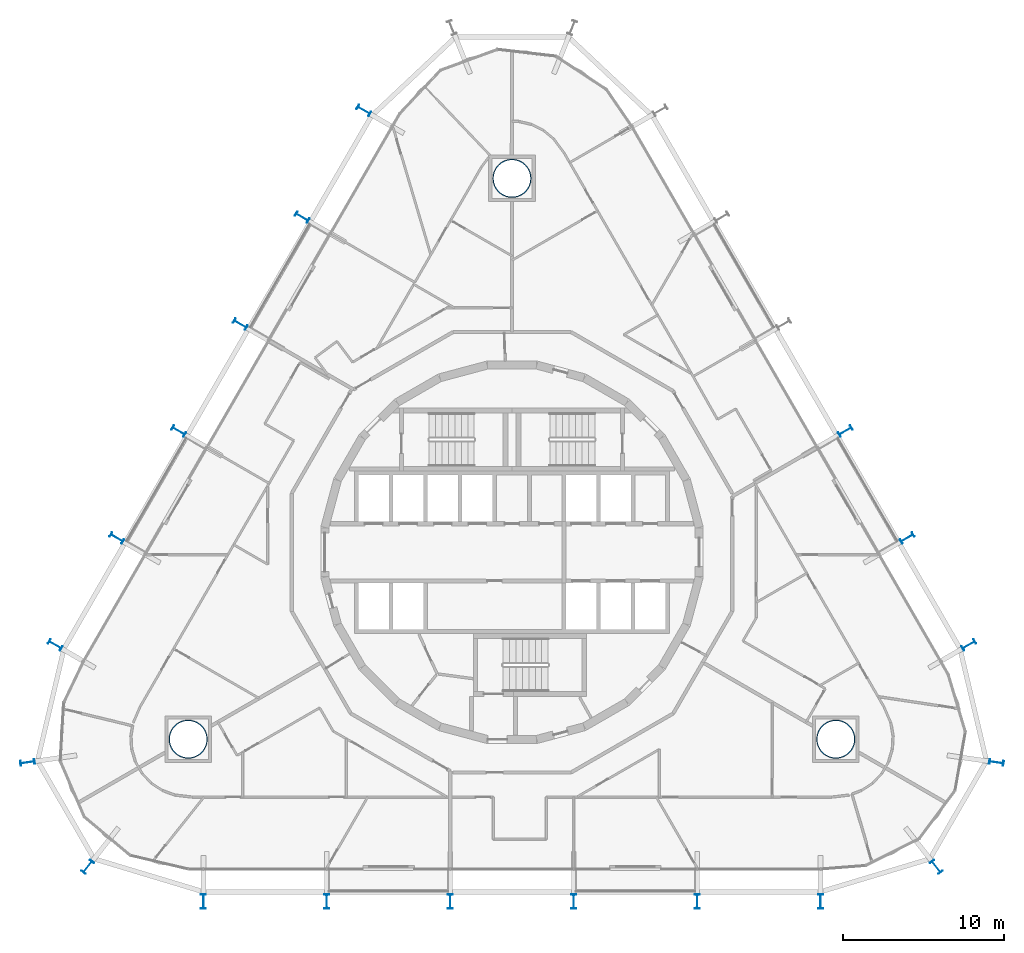
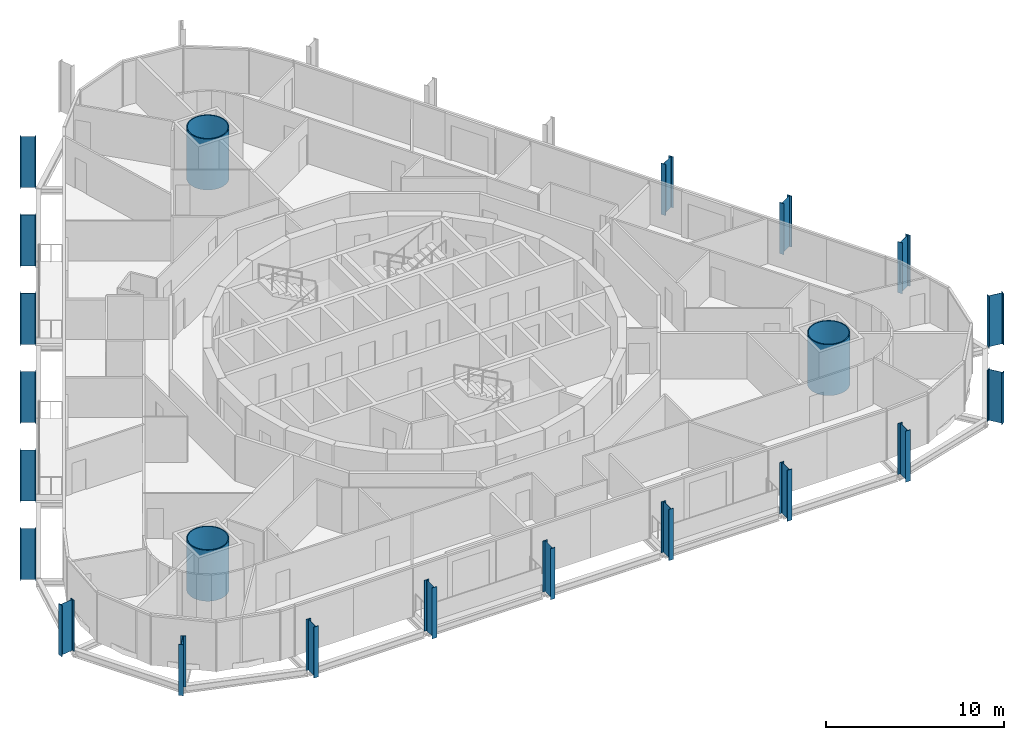
# One storey, part 1 of 19: 22 columns.
"""IFC4 building model written with IfcOpenShell, lengths in metres."""

from ifc_helpers import new_model, si_unit, direction, frame, origin, origin_2d, place, context, subcontext, project, spatial, hollow_circle, i_section, extrude, material, material_profile, profile_set, type_object, element, save


model = new_model("IFC4")

# Units and contexts
model_context = context("Model", 3, precision=1e-05, world=origin(), true_north=direction((0.0, 1.0)))
body_context = subcontext(model_context, "Body", "Model", "MODEL_VIEW")
ifc_project = project(units=[si_unit("LENGTHUNIT", "METRE"), si_unit("AREAUNIT", "SQUARE_METRE"), si_unit("VOLUMEUNIT", "CUBIC_METRE"), si_unit("PLANEANGLEUNIT", "RADIAN"), si_unit("MASSUNIT", "GRAM", prefix="KILO")], contexts=[model_context])

# Site, building, storey
site_placement = place(None, origin())
site = spatial("IfcSite", under=ifc_project, at=site_placement, CompositionType="ELEMENT")
building_placement = place(site_placement, origin())
building = spatial("IfcBuilding", under=site, at=building_placement, Name="Spindle Arch Residences", CompositionType="ELEMENT")
storey_placement = place(building_placement, frame((0.0, 0.0, 45.39990234375)))
storey = spatial("IfcBuildingStorey", under=building, at=storey_placement, Name="L09", CompositionType="ELEMENT", Elevation=45.39990234375)

# Columns
ifc_material_1 = material(Name="Steel S460ML, intumescent coating R 240", Category="steel")
ifc_material_profile_1 = material_profile(ifc_material_1, i_section(OverallWidth=0.300048828125, OverallDepth=0.89990234375, WebThickness=0.0185546875, FlangeThickness=0.034912109375, FilletRadius=0.030029296875, at=origin_2d()), Name="HEB 900")
ifc_profile_set_1 = profile_set([ifc_material_profile_1], Name="Steel S460ML, intumescent coating R 240")
column_type_1 = type_object("IfcColumnType", Name="Exoskeleton post HEB 900", PredefinedType="COLUMN", material=ifc_profile_set_1)
for number, where, z_axis, x_axis, name in (
    (1, (3.840087890625, -21.72998046875, -0.3798828125), (0.0, 0.0, 1.0), (-1.0, 0.0, 0.0), "Exoskeleton post 1"),
    (2, (11.52001953125, -21.72998046875, -0.3798828125), (0.0, 0.0, 1.0), (-1.0, 0.0, 0.0), "Exoskeleton post 2"),
    (3, (19.2001953125, -21.72998046875, -0.3798828125), (0.0, 0.0, 1.0), (-1.0, 0.0, 0.0), "Exoskeleton post 3"),
    (4, (26.3916015625, -19.565185546875, -0.3798828125), (0.0, 0.0, 1.0), (-0.7856835335, -0.618628632693, 0.0), "Exoskeleton post 4"),
    (5, (30.139892578125, -13.0732421875, -0.3798828125), (0.0, 0.0, 1.0), (-0.142906037553, -0.989736260036, 0.0), "Exoskeleton post 5"),
    (6, (28.418701171875, -5.762939453125, -0.3798828125), (0.0, 0.0, 1.0), (0.50000017485, -0.866025302835, 0.0), "Exoskeleton post 6"),
    (7, (24.57861328125, 0.88818359375, -0.3798828125), (0.0, 0.0, 1.0), (0.50000017485, -0.866025302835, 0.0), "Exoskeleton post 7"),
    (8, (20.73876953125, 7.539306640625, -0.3798828125), (0.0, 0.0, 1.0), (0.50000017485, -0.866025302835, 0.0), "Exoskeleton post 8"),
    (9, (-9.218505859375, 27.492919921875, -0.3798828125), (0.0, 0.0, 1.0), (0.50000017485, 0.866025302835, 0.0), "Exoskeleton post 14"),
    (10, (-13.05859375, 20.841796875, -0.3798828125), (0.0, 0.0, 1.0), (0.50000017485, 0.866025302835, 0.0), "Exoskeleton post 15"),
    (11, (-16.898681640625, 14.1904296875, -0.3798828125), (0.0, 0.0, 1.0), (0.50000017485, 0.866025302835, 0.0), "Exoskeleton post 16"),
    (12, (-20.73876953125, 7.539306640625, -0.3798828125), (0.0, 0.0, 1.0), (0.50000017485, 0.866025302835, 0.0), "Exoskeleton post 17"),
    (13, (-24.57861328125, 0.88818359375, -0.3798828125), (0.0, 0.0, 1.0), (0.50000017485, 0.866025302835, 0.0), "Exoskeleton post 18"),
    (14, (-28.418701171875, -5.762939453125, -0.3798828125), (0.0, 0.0, 1.0), (0.50000017485, 0.866025302835, 0.0), "Exoskeleton post 19"),
    (15, (-30.139892578125, -13.0732421875, -0.3798828125), (0.0, 0.0, 1.0), (-0.142906037553, 0.989736260036, 0.0), "Exoskeleton post 20"),
    (16, (-26.3916015625, -19.565185546875, -0.3798828125), (0.0, 0.0, 1.0), (-0.7856835335, 0.618628632693, 0.0), "Exoskeleton post 21"),
    (17, (-19.2001953125, -21.72998046875, -0.3798828125), (0.0, 0.0, 1.0), (-1.0, 0.0, 0.0), "Exoskeleton post 22"),
    (18, (-11.52001953125, -21.72998046875, -0.3798828125), (0.0, 0.0, 1.0), (-1.0, 0.0, 0.0), "Exoskeleton post 23"),
    (19, (-3.840087890625, -21.72998046875, -0.3798828125), (0.0, 0.0, 1.0), (-1.0, 0.0, 0.0), "Exoskeleton post 24"),
):
    element("IfcColumn", number, at=place(storey_placement, frame(where, z_axis=z_axis, x_axis=x_axis)), inside=storey, type_object=column_type_1, Name=name, PredefinedType="COLUMN", context=body_context, shape_type="SweptSolid", body=[
        extrude(i_section(OverallWidth=0.300048828125, OverallDepth=0.89990234375, WebThickness=0.0185546875, FlangeThickness=0.034912109375, FilletRadius=0.030029296875, at=origin_2d()), origin(), (0.0, 0.0, 1.0), 3.5),
    ])
ifc_material_2 = material(Name="Concrete C50/60 filled steel tube S460ML, intumescent coating R 240", Category="concrete")
ifc_material_profile_2 = material_profile(ifc_material_2, hollow_circle(Radius=1.199951171875, WallThickness=0.06005859375, at=origin_2d()), Name="CFT D2400x60")
ifc_profile_set_2 = profile_set([ifc_material_profile_2], Name="Concrete C50/60 filled steel tube S460ML, intumescent coating R 240")
column_type_2 = type_object("IfcColumnType", Name="Mega-column CFT D2400x60", PredefinedType="COLUMN", material=ifc_profile_set_2)
for number, where, z_axis, x_axis, name in (
    (20, (20.1435546875, -11.6298828125, -0.3798828125), (0.0, 0.0, 1.0), (1.0, 0.0, 0.0), "Mega-column 1"),
    (21, (0.0, 23.259765625, -0.3798828125), (0.0, 0.0, 1.0), (1.0, 0.0, 0.0), "Mega-column 2"),
    (22, (-20.1435546875, -11.6298828125, -0.3798828125), (0.0, 0.0, 1.0), (1.0, 0.0, 0.0), "Mega-column 3"),
):
    element("IfcColumn", number, at=place(storey_placement, frame(where, z_axis=z_axis, x_axis=x_axis)), inside=storey, type_object=column_type_2, Name=name, PredefinedType="COLUMN", context=body_context, shape_type="SweptSolid", body=[
        extrude(hollow_circle(Radius=1.199951171875, WallThickness=0.06005859375, at=origin_2d()), origin(), (0.0, 0.0, 1.0), 3.5),
    ])

save(model, "model.ifc")
